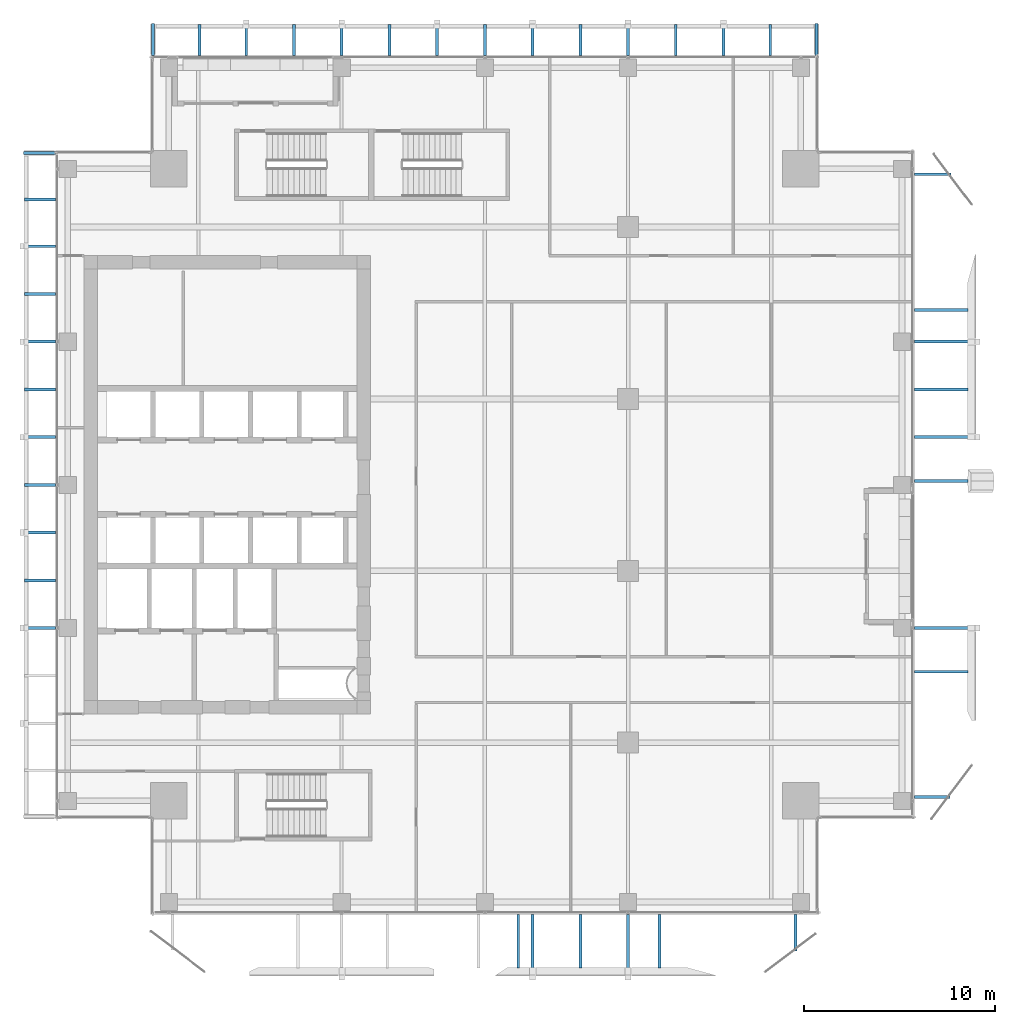
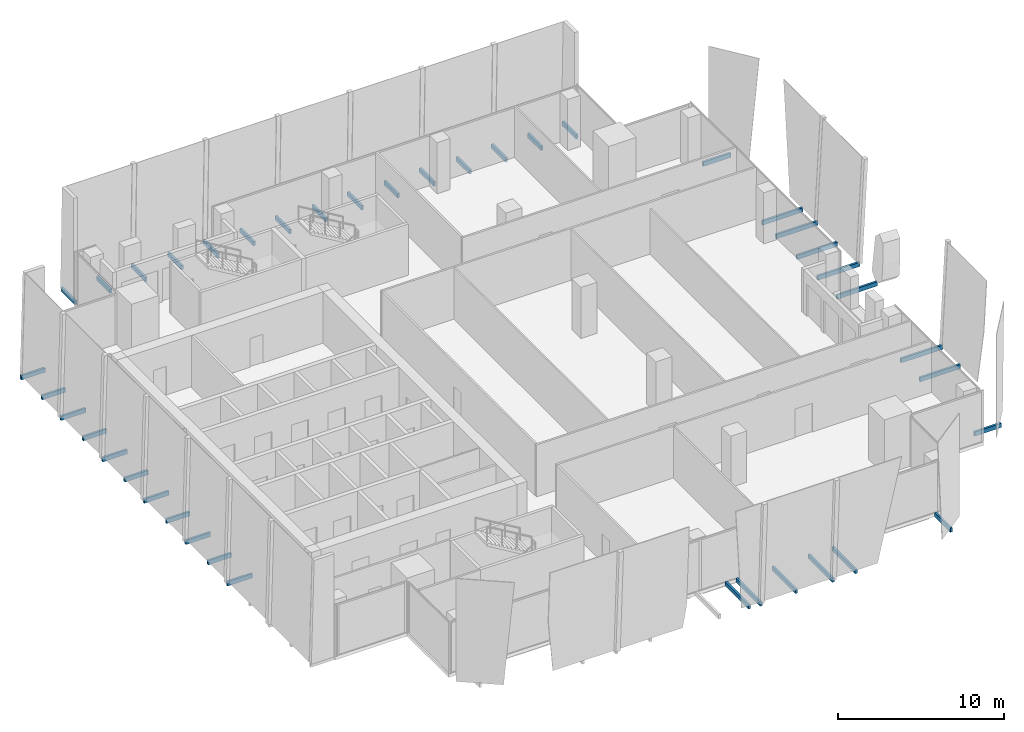
# One storey, part 31 of 35: 41 discrete accessories.
"""IFC4 building model written with IfcOpenShell, lengths in metres."""

import ifcopenshell
import ifcopenshell.guid

model = None  # the IFC model being written
_history = None  # IfcOwnerHistory: only IFC2X3 demands one
_inside = {}  # id of a spatial element -> (the spatial element, [elements in it])
_under = {}  # id of a project, library or spatial element -> (it, [spatial elements below it])
_declared = {}  # id of a project -> (the project, [libraries it declares])
_typed = {}  # id of a type object -> (the type object, [elements of that type])
_made_of = {}  # id of a material, layer set ... -> (it, [elements and type objects made of it])


def new_model(schema):
    """Start an empty IFC model of exactly this schema.

    Asked for "IFC4X3", IfcOpenShell would pick the latest addendum, in which some entities
    have other attributes; the version numbers below select the first issue.
    IFC2X3 requires an IfcOwnerHistory on every rooted entity: one is made here for all.
    """
    global model, _history
    if schema == "IFC4X3":
        model = ifcopenshell.file(schema_version=(4, 3, 0, 0))
    else:
        model = ifcopenshell.file(schema=schema)
    _inside.clear()
    _under.clear()
    _declared.clear()
    _typed.clear()
    _made_of.clear()
    _history = None
    if model.schema == "IFC2X3":
        org = make("IfcOrganization", Name="unknown")
        user = make(
            "IfcPersonAndOrganization",
            ThePerson=make("IfcPerson", FamilyName="unknown"),
            TheOrganization=org,
        )
        app = make(
            "IfcApplication",
            ApplicationDeveloper=org,
            Version="unknown",
            ApplicationFullName="unknown",
            ApplicationIdentifier="unknown",
        )
        _history = make(
            "IfcOwnerHistory",
            OwningUser=user,
            OwningApplication=app,
            ChangeAction="ADDED",
            CreationDate=0,
        )
    return model


def make(cls, **values):
    """One entity of the class cls with the attributes given. An attribute that is None is left unset."""
    return model.create_entity(
        cls, **{name: value for name, value in values.items() if value is not None}
    )


def rooted(cls, **values):
    """An entity with a GlobalId (a new one), such as an element, a storey or a relation."""
    return make(cls, GlobalId=ifcopenshell.guid.new(), OwnerHistory=_history, **values)


def si_unit(unit_type, name, prefix=None):
    """IfcSIUnit, for example si_unit("LENGTHUNIT", "METRE", prefix="MILLI")."""
    return make("IfcSIUnit", UnitType=unit_type, Prefix=prefix, Name=name)


def assignment(units):
    """IfcUnitAssignment: the units of a project."""
    return None if units is None else make("IfcUnitAssignment", Units=units)


def point(xyz):
    """IfcCartesianPoint."""
    return None if xyz is None else make("IfcCartesianPoint", Coordinates=xyz)


def direction(xyz):
    """IfcDirection."""
    return None if xyz is None else make("IfcDirection", DirectionRatios=xyz)


def frame(location, z_axis=None, x_axis=None):
    """IfcAxis2Placement3D, a coordinate frame: its origin and axes. An axis left out is left unset."""
    return make(
        "IfcAxis2Placement3D",
        Location=point(location),
        Axis=direction(z_axis),
        RefDirection=direction(x_axis),
    )


def frame_2d(location, x_axis=None):
    """IfcAxis2Placement2D, a coordinate frame in the plane: its origin and x axis."""
    return make(
        "IfcAxis2Placement2D", Location=point(location), RefDirection=direction(x_axis)
    )


def origin():
    """The frame at (0, 0, 0) with its axes left unset."""
    return frame((0.0, 0.0, 0.0))


def origin_2d():
    """The frame at (0, 0) in the plane with its x axis left unset."""
    return frame_2d((0.0, 0.0))


def place(relative_to, where):
    """IfcLocalPlacement: puts the frame where relative to a parent placement (None: the world)."""
    return make(
        "IfcLocalPlacement", PlacementRelTo=relative_to, RelativePlacement=where
    )


def context(
    kind, dimensions, precision=None, world=None, true_north=None, identifier=None
):
    """IfcGeometricRepresentationContext, for example the 3D "Model" context."""
    return make(
        "IfcGeometricRepresentationContext",
        ContextIdentifier=identifier,
        ContextType=kind,
        CoordinateSpaceDimension=dimensions,
        Precision=precision,
        WorldCoordinateSystem=world,
        TrueNorth=true_north,
    )


def subcontext(parent, identifier, kind, view, scale=None):
    """IfcGeometricRepresentationSubContext, for example "Body" below "Model"."""
    return make(
        "IfcGeometricRepresentationSubContext",
        ContextIdentifier=identifier,
        ContextType=kind,
        ParentContext=parent,
        TargetScale=scale,
        TargetView=view,
    )


def project(units=None, contexts=None):
    """IfcProject with its units and contexts."""
    return rooted(
        "IfcProject",
        Name="project",
        RepresentationContexts=contexts,
        UnitsInContext=assignment(units),
    )


def spatial(cls, under=None, at=None, **own):
    """A site, building, storey or space (cls), placed at a placement, below another one or the project."""
    s = rooted(cls, ObjectPlacement=at, **own)
    if under is not None:
        _under.setdefault(under.id(), (under, []))[1].append(s)
    return s


def profile(cls, at=None, kind="AREA", **sizes):
    """A parametric profile (cls). Its sizes go by their IFC names, for example OverallWidth=200.0."""
    return make(cls, ProfileType=kind, Position=at, **sizes)


def rectangle(**sizes):
    """IfcRectangleProfileDef."""
    return profile("IfcRectangleProfileDef", **sizes)


def extrude(swept, where, along, depth):
    """IfcExtrudedAreaSolid: the profile swept, set in the frame where, extruded along a direction by depth."""
    return make(
        "IfcExtrudedAreaSolid",
        SweptArea=swept,
        Position=where,
        ExtrudedDirection=direction(along),
        Depth=depth,
    )


def shape(context_of_items, identifier, shape_type, items):
    """IfcShapeRepresentation: the items that make up one representation, for example the "Body"."""
    return make(
        "IfcShapeRepresentation",
        ContextOfItems=context_of_items,
        RepresentationIdentifier=identifier,
        RepresentationType=shape_type,
        Items=items,
    )


def source(mapping_origin, context_of_items, identifier, shape_type, items):
    """IfcRepresentationMap: a shape defined once, which mapped items show again and again."""
    return make(
        "IfcRepresentationMap",
        MappingOrigin=mapping_origin,
        MappedRepresentation=shape(context_of_items, identifier, shape_type, items),
    )


def transform(
    local_origin,
    x_axis=None,
    y_axis=None,
    z_axis=None,
    scale=None,
    scale2=None,
    scale3=None,
    uniform=True,
):
    """IfcCartesianTransformationOperator3D, or its non-uniform kind. x_axis, y_axis, z_axis: its Axis1, 2, 3."""
    if uniform:
        return make(
            "IfcCartesianTransformationOperator3D",
            Axis1=direction(x_axis),
            Axis2=direction(y_axis),
            LocalOrigin=point(local_origin),
            Scale=scale,
            Axis3=direction(z_axis),
        )
    return make(
        "IfcCartesianTransformationOperator3DnonUniform",
        Axis1=direction(x_axis),
        Axis2=direction(y_axis),
        LocalOrigin=point(local_origin),
        Scale=scale,
        Axis3=direction(z_axis),
        Scale2=scale2,
        Scale3=scale3,
    )


def mapped(mapping_source, mapping_target):
    """IfcMappedItem: shows the shape of a source again, moved by a transform."""
    return make(
        "IfcMappedItem", MappingSource=mapping_source, MappingTarget=mapping_target
    )


def material(Name=None, Category=None):
    """IfcMaterial."""
    return make("IfcMaterial", Name=Name, Category=Category)


def made_of(thing, what):
    """Note that an element or type object is made of a material, layer set ...; save() writes the relation."""
    if what is not None:
        _made_of.setdefault(what.id(), (what, []))[1].append(thing)
    return thing


def type_object(cls, material=None, **own):
    """A type object (cls), such as IfcWallType, which elements share."""
    return made_of(rooted(cls, **own), material)


def element(
    cls,
    number,
    at=None,
    inside=None,
    cuts=None,
    type_object=None,
    material=None,
    context=None,
    identifier="Body",
    shape_type=None,
    held_by="IfcProductDefinitionShape",
    body=None,
    shapes=None,
    **own,
):
    """One element of the class cls, such as IfcWall. Its Tag is "e" and its number.

    at: its placement. inside: the storey or other place that contains it. cuts: it is an
    opening in that element (IfcRelVoidsElement). A single representation is given by context,
    identifier, shape_type and body (its items); several are given by shapes. held_by: the class
    of the entity that holds the representations. save() writes the other relations.
    """
    e = rooted(cls, Tag="e%d" % number, ObjectPlacement=at, **own)
    if body is not None:
        shapes = [shape(context, identifier, shape_type, body)]
    if shapes is not None:
        e.Representation = make(held_by, Representations=shapes)
    if inside is not None:
        _inside.setdefault(inside.id(), (inside, []))[1].append(e)
    if cuts is not None:
        rooted(
            "IfcRelVoidsElement", RelatingBuildingElement=cuts, RelatedOpeningElement=e
        )
    if type_object is not None:
        _typed.setdefault(type_object.id(), (type_object, []))[1].append(e)
    return made_of(e, material)


def aggregate(whole, parts):
    """IfcRelAggregates: a whole, such as a stair, and the parts it consists of."""
    return rooted("IfcRelAggregates", RelatingObject=whole, RelatedObjects=parts)


def save(model, path):
    """Write the relations noted so far, then the file.

    IfcRelAggregates (storeys below a building ...), IfcRelContainedInSpatialStructure (elements
    in a storey), IfcRelDefinesByType, IfcRelAssociatesMaterial and IfcRelDeclares: one each for
    every whole, place, type object, material and project.
    """
    for whole, parts in _under.values():
        aggregate(whole, parts)
    for where, things in _inside.values():
        rooted(
            "IfcRelContainedInSpatialStructure",
            RelatedElements=things,
            RelatingStructure=where,
        )
    for kind, things in _typed.values():
        rooted("IfcRelDefinesByType", RelatedObjects=things, RelatingType=kind)
    for what, things in _made_of.values():
        rooted("IfcRelAssociatesMaterial", RelatedObjects=things, RelatingMaterial=what)
    for by, libraries in _declared.values():
        rooted("IfcRelDeclares", RelatingContext=by, RelatedDefinitions=libraries)
    model.write(path)


model = new_model("IFC4")

# Units and contexts
model_context = context("Model", 3, precision=1e-05, world=origin(), true_north=direction((0.0, 1.0)))
body_context = subcontext(model_context, "Body", "Model", "MODEL_VIEW")
ifc_project = project(units=[si_unit("LENGTHUNIT", "METRE"), si_unit("AREAUNIT", "SQUARE_METRE"), si_unit("VOLUMEUNIT", "CUBIC_METRE"), si_unit("PLANEANGLEUNIT", "RADIAN"), si_unit("MASSUNIT", "GRAM", prefix="KILO")], contexts=[model_context])

# Site, building, storey
site_placement = place(None, origin())
site = spatial("IfcSite", under=ifc_project, at=site_placement, CompositionType="ELEMENT")
building_placement = place(site_placement, origin())
building = spatial("IfcBuilding", under=site, at=building_placement, Name="Khomas Fold Tower", CompositionType="ELEMENT")
storey_placement = place(building_placement, frame((0.0, 0.0, 258.199951171875)))
storey = spatial("IfcBuildingStorey", under=building, at=storey_placement, Name="L58", CompositionType="ELEMENT", Elevation=258.199951171875)

# Discrete accessories
ifc_material = material(Name="Stainless steel", Category="steel")
discrete_accessory_type = type_object("IfcDiscreteAccessoryType", Name="SK-Stainless steel stone bracket", PredefinedType="BRACKET", material=ifc_material)
shared_shape_1 = source(origin(), body_context, "Body", "SweptSolid", [
    extrude(rectangle(XDim=2.813232421875, YDim=0.14990234375, at=origin_2d()), origin(), (0.0, 0.0, 1.0), 0.31005859375),
])
for number, where, z_axis, x_axis, name in (
    (1, (50.90673828125, 27.20263671875, -0.25), (0.0, 0.0, 1.0), (1.0, 0.0, 0.0), "Stone bracket L58 ES06-1-1"),
    (2, (28.75, 3.09326171875, -0.25), (0.0, 0.0, 1.0), (0.0, -1.0, 0.0), "Stone bracket L58 SG101-5-1"),
    (3, (32.0, 3.09326171875, -0.25), (0.0, 0.0, 1.0), (0.0, -1.0, 0.0), "Stone bracket L58 SG102-7-1"),
    (4, (36.1513671875, 3.09326171875, -0.25), (0.0, 0.0, 1.0), (0.0, -1.0, 0.0), "Stone bracket L58 SG103-9-1"),
    (5, (50.90673828125, 17.211669921875, -0.25), (0.0, 0.0, 1.0), (1.0, 0.0, 0.0), "Stone bracket L58 EG099-2-1"),
    (6, (50.90673828125, 32.0, -0.25), (0.0, 0.0, 1.0), (1.0, 0.0, 0.0), "Stone bracket L58 EG102-5-1"),
    (7, (50.90673828125, 36.1513671875, -0.25), (0.0, 0.0, 1.0), (1.0, 0.0, 0.0), "Stone bracket L58 EG103-7-1"),
):
    element("IfcDiscreteAccessory", number, at=place(storey_placement, frame(where, z_axis=z_axis, x_axis=x_axis)), inside=storey, type_object=discrete_accessory_type, Name=name, PredefinedType="BRACKET", context=body_context, shape_type="MappedRepresentation", body=[
        mapped(shared_shape_1, transform((0.0, 0.0, 0.0))),
    ])
shared_shape_2 = source(origin(), body_context, "Body", "SweptSolid", [
    extrude(rectangle(XDim=1.85107421875, YDim=0.14990234375, at=origin_2d()), origin(), (0.0, 0.0, 1.0), 0.31005859375),
])
discrete_accessory_placement = place(storey_placement, frame((50.425537109375, 10.6484375, -0.25), z_axis=(0.0, 0.0, 1.0), x_axis=(1.0, 0.0, 0.0)))
element("IfcDiscreteAccessory", 8, at=discrete_accessory_placement, inside=storey, type_object=discrete_accessory_type, Name="Stone bracket L58 EG098-1-1", PredefinedType="BRACKET", context=body_context, shape_type="MappedRepresentation", body=[
    mapped(shared_shape_2, transform((0.0, 0.0, 0.0))),
])
shared_shape_3 = source(origin(), body_context, "Body", "SweptSolid", [
    extrude(rectangle(XDim=2.908203125, YDim=0.14990234375, at=origin_2d()), origin(), (0.0, 0.0, 1.0), 0.31005859375),
])
for number, where, z_axis, x_axis, name in (
    (9, (29.5, 3.0458984375, -0.25), (0.0, 0.0, 1.0), (0.0, -1.0, 0.0), "Stone bracket L58 SM102-6-1"),
    (10, (34.5, 3.0458984375, -0.25), (0.0, 0.0, 1.0), (0.0, -1.0, 0.0), "Stone bracket L58 SM103-8-1"),
    (11, (50.9541015625, 19.5, -0.25), (0.0, 0.0, 1.0), (1.0, 0.0, 0.0), "Stone bracket L58 EM100-3-1"),
    (12, (50.9541015625, 29.5, -0.25), (0.0, 0.0, 1.0), (1.0, 0.0, 0.0), "Stone bracket L58 EM102-4-1"),
    (13, (50.9541015625, 34.5, -0.25), (0.0, 0.0, 1.0), (1.0, 0.0, 0.0), "Stone bracket L58 EM103-6-1"),
):
    element("IfcDiscreteAccessory", number, at=place(storey_placement, frame(where, z_axis=z_axis, x_axis=x_axis)), inside=storey, type_object=discrete_accessory_type, Name=name, PredefinedType="BRACKET", context=body_context, shape_type="MappedRepresentation", body=[
        mapped(shared_shape_3, transform((0.0, 0.0, 0.0))),
    ])
shared_shape_4 = source(origin(), body_context, "Body", "SweptSolid", [
    extrude(rectangle(XDim=1.91552734375, YDim=0.14990234375, at=origin_2d()), origin(), (0.0, 0.0, 1.0), 0.31005859375),
])
for number, where, z_axis, x_axis, name in (
    (14, (43.2666015625, 3.542236328125, -0.25), (0.0, 0.0, 1.0), (0.0, -1.0, 0.0), "Stone bracket L58 SG104-10-1"),
    (15, (50.457763671875, 43.2666015625, -0.25), (0.0, 0.0, 1.0), (1.0, 0.0, 0.0), "Stone bracket L58 EG104-8-1"),
):
    element("IfcDiscreteAccessory", number, at=place(storey_placement, frame(where, z_axis=z_axis, x_axis=x_axis)), inside=storey, type_object=discrete_accessory_type, Name=name, PredefinedType="BRACKET", context=body_context, shape_type="MappedRepresentation", body=[
        mapped(shared_shape_4, transform((0.0, 0.0, 0.0))),
    ])
shared_shape_5 = source(origin(), body_context, "Body", "SweptSolid", [
    extrude(rectangle(XDim=1.620849609375, YDim=0.14990234375, at=origin_2d()), origin(), (0.0, 0.0, 1.0), 0.31005859375),
])
for number, where, z_axis, x_axis, name in (
    (16, (12.050048828125, 50.310546875, -0.25), (0.0, 0.0, 1.0), (0.0, 1.0, 0.0), "Stone bracket L58 PLNG01"),
    (17, (17.0, 50.310546875, -0.25), (0.0, 0.0, 1.0), (0.0, 1.0, 0.0), "Stone bracket L58 PLNG03"),
    (18, (22.0, 50.310546875, -0.25), (0.0, 0.0, 1.0), (0.0, 1.0, 0.0), "Stone bracket L58 PLNG05"),
    (19, (27.0, 50.310546875, -0.25), (0.0, 0.0, 1.0), (0.0, 1.0, 0.0), "Stone bracket L58 PLNG07"),
    (20, (32.0, 50.310546875, -0.25), (0.0, 0.0, 1.0), (0.0, 1.0, 0.0), "Stone bracket L58 PLNG09"),
    (21, (37.0, 50.310546875, -0.25), (0.0, 0.0, 1.0), (0.0, 1.0, 0.0), "Stone bracket L58 PLNG11"),
    (22, (41.949951171875, 50.310546875, -0.25), (0.0, 0.0, 1.0), (0.0, 1.0, 0.0), "Stone bracket L58 PLNG13"),
    (23, (3.689453125, 22.0, -0.25), (0.0, 0.0, 1.0), (-1.0, 0.0, 0.0), "Stone bracket L58 PLWG05"),
    (24, (3.689453125, 27.0, -0.25), (0.0, 0.0, 1.0), (-1.0, 0.0, 0.0), "Stone bracket L58 PLWG07"),
    (25, (3.689453125, 32.0, -0.25), (0.0, 0.0, 1.0), (-1.0, 0.0, 0.0), "Stone bracket L58 PLWG09"),
    (26, (3.689453125, 37.0, -0.25), (0.0, 0.0, 1.0), (-1.0, 0.0, 0.0), "Stone bracket L58 PLWG11"),
    (27, (3.689453125, 41.949951171875, -0.25), (0.0, 0.0, 1.0), (-1.0, 0.0, 0.0), "Stone bracket L58 PLWG13"),
):
    element("IfcDiscreteAccessory", number, at=place(storey_placement, frame(where, z_axis=z_axis, x_axis=x_axis)), inside=storey, type_object=discrete_accessory_type, Name=name, PredefinedType="BRACKET", context=body_context, shape_type="MappedRepresentation", body=[
        mapped(shared_shape_5, transform((0.0, 0.0, 0.0))),
    ])
shared_shape_6 = source(origin(), body_context, "Body", "SweptSolid", [
    extrude(rectangle(XDim=1.7158203125, YDim=0.14990234375, at=origin_2d()), origin(), (0.0, 0.0, 1.0), 0.31005859375),
])
for number, where, z_axis, x_axis, name in (
    (28, (14.5, 50.35791015625, -0.25), (0.0, 0.0, 1.0), (0.0, 1.0, 0.0), "Stone bracket L58 PLNM02"),
    (29, (19.5, 50.35791015625, -0.25), (0.0, 0.0, 1.0), (0.0, 1.0, 0.0), "Stone bracket L58 PLNM04"),
    (30, (24.5, 50.35791015625, -0.25), (0.0, 0.0, 1.0), (0.0, 1.0, 0.0), "Stone bracket L58 PLNM06"),
    (31, (29.5, 50.35791015625, -0.25), (0.0, 0.0, 1.0), (0.0, 1.0, 0.0), "Stone bracket L58 PLNM08"),
    (32, (34.5, 50.35791015625, -0.25), (0.0, 0.0, 1.0), (0.0, 1.0, 0.0), "Stone bracket L58 PLNM10"),
    (33, (39.5, 50.35791015625, -0.25), (0.0, 0.0, 1.0), (0.0, 1.0, 0.0), "Stone bracket L58 PLNM12"),
    (34, (3.64208984375, 19.5, -0.25), (0.0, 0.0, 1.0), (-1.0, 0.0, 0.0), "Stone bracket L58 PLWM04"),
    (35, (3.64208984375, 24.5, -0.25), (0.0, 0.0, 1.0), (-1.0, 0.0, 0.0), "Stone bracket L58 PLWM06"),
    (36, (3.64208984375, 29.5, -0.25), (0.0, 0.0, 1.0), (-1.0, 0.0, 0.0), "Stone bracket L58 PLWM08"),
    (37, (3.64208984375, 34.5, -0.25), (0.0, 0.0, 1.0), (-1.0, 0.0, 0.0), "Stone bracket L58 PLWM10"),
    (38, (3.64208984375, 39.5, -0.25), (0.0, 0.0, 1.0), (-1.0, 0.0, 0.0), "Stone bracket L58 PLWM12"),
):
    element("IfcDiscreteAccessory", number, at=place(storey_placement, frame(where, z_axis=z_axis, x_axis=x_axis)), inside=storey, type_object=discrete_accessory_type, Name=name, PredefinedType="BRACKET", context=body_context, shape_type="MappedRepresentation", body=[
        mapped(shared_shape_6, transform((0.0, 0.0, 0.0))),
    ])
shared_shape_7 = source(origin(), body_context, "Body", "SweptSolid", [
    extrude(rectangle(XDim=1.660888671875, YDim=0.14990234375, at=origin_2d()), origin(), (0.0, 0.0, 1.0), 0.31005859375),
])
for number, where, z_axis, x_axis, name in (
    (39, (9.625, 50.330322265625, -0.25), (0.0, 0.0, 1.0), (0.0, 1.0, 0.0), "Stone bracket L58 PLNR1"),
    (40, (44.375, 50.330322265625, -0.25), (0.0, 0.0, 1.0), (0.0, 1.0, 0.0), "Stone bracket L58 PLNR2"),
    (41, (3.669677734375, 44.375, -0.25), (0.0, 0.0, 1.0), (-1.0, 0.0, 0.0), "Stone bracket L58 PLWR2"),
):
    element("IfcDiscreteAccessory", number, at=place(storey_placement, frame(where, z_axis=z_axis, x_axis=x_axis)), inside=storey, type_object=discrete_accessory_type, Name=name, PredefinedType="BRACKET", context=body_context, shape_type="MappedRepresentation", body=[
        mapped(shared_shape_7, transform((0.0, 0.0, 0.0))),
    ])

save(model, "model.ifc")
